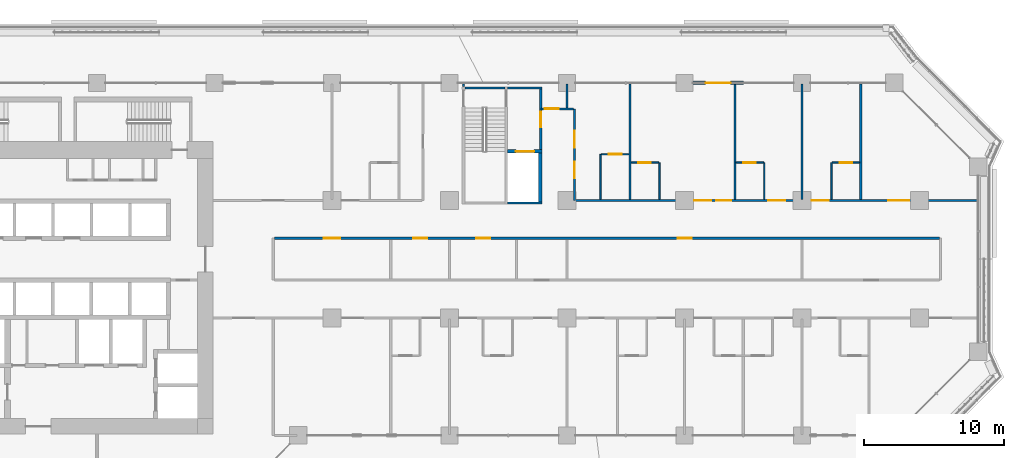
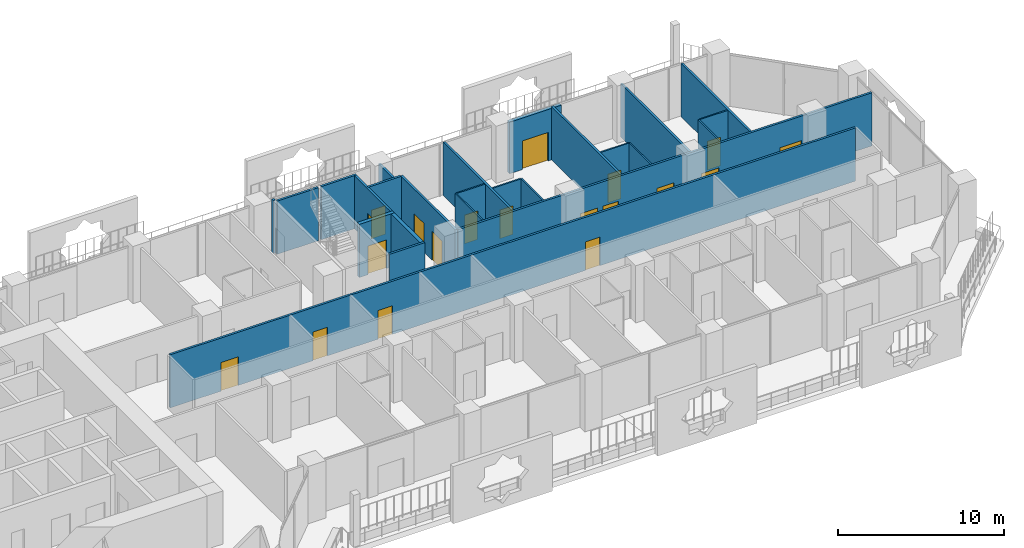
# One storey, part 18 of 27: 25 walls, 19 doors, 19 openings.
"""IFC4 building model written with IfcOpenShell, lengths in metres."""

from ifc_helpers import new_model, si_unit, direction, frame, frame_2d, origin, place, context, subcontext, project, spatial, rectangle, extrude, material, layer, layer_set, type_object, element, fill, save


model = new_model("IFC4")

# Units and contexts
model_context = context("Model", 3, precision=1e-05, world=origin(), true_north=direction((0.0, 1.0)))
body_context = subcontext(model_context, "Body", "Model", "MODEL_VIEW")
ifc_project = project(units=[si_unit("LENGTHUNIT", "METRE"), si_unit("AREAUNIT", "SQUARE_METRE"), si_unit("VOLUMEUNIT", "CUBIC_METRE"), si_unit("PLANEANGLEUNIT", "RADIAN"), si_unit("MASSUNIT", "GRAM", prefix="KILO")], contexts=[model_context])

# Site, building, storey
site_placement = place(None, origin())
site = spatial("IfcSite", under=ifc_project, at=site_placement, CompositionType="ELEMENT")
building_placement = place(site_placement, origin())
building = spatial("IfcBuilding", under=site, at=building_placement, Name="Kawkab Arch Medical Tower", CompositionType="ELEMENT")
storey_placement = place(building_placement, frame((0.0, 0.0, 85.39990234375)))
storey = spatial("IfcBuildingStorey", under=building, at=storey_placement, Name="L19", CompositionType="ELEMENT", Elevation=85.39990234375)

# Wall, opening, door
ifc_material_1 = material(Name="Gypsum board on steel studs", Category="steel")
ifc_layer_1 = layer(ifc_material_1, 0.14990234375)
ifc_layer_set_1 = layer_set([ifc_layer_1], Name="Gypsum board on steel studs")
wall_type_1 = type_object("IfcWallType", Name="Core room partition 150", PredefinedType="PARTITIONING", material=ifc_layer_set_1)
wall_1_placement = place(storey_placement, frame((48.52490234375, -4.77490234375, 0.0), z_axis=(0.0, 0.0, 1.0), x_axis=(0.0, 1.0, 0.0)))
wall_1 = element("IfcWall", 1, at=wall_1_placement, inside=storey, type_object=wall_type_1, Name="L19 core room partition", PredefinedType="PARTITIONING", context=body_context, shape_type="SweptSolid", body=[
    extrude(rectangle(XDim=4.324951171875, YDim=0.14990234375, at=frame_2d((2.16259765625, 0.0))), origin(), (0.0, 0.0, 1.0), 3.900146484375),
])
opening_1_placement = place(wall_1_placement, frame((1.625, 0.0, 0.0)))
opening_1 = element("IfcOpeningElement", 2, at=opening_1_placement, cuts=wall_1, Name="Opening FD", PredefinedType="OPENING", context=body_context, shape_type="SweptSolid", body=[
    extrude(rectangle(XDim=1.10009765625, YDim=2.10009765625, at=frame_2d((0.550048828125, 1.050048828125))), frame((0.0, 0.0849609375, 0.0), z_axis=(0.0, -1.0, 0.0), x_axis=(1.0, 0.0, 0.0)), (0.0, 0.0, 1.0), 0.169921875),
])
ifc_material_2 = material(Name="Hollow metal fire door leaf")
door_type_1 = type_object("IfcDoorType", Name="Firefighting lobby door 1100", OperationType="SINGLE_SWING_LEFT", PredefinedType="DOOR", material=ifc_material_2)
door_1_placement = place(opening_1_placement, origin())
door_1 = element("IfcDoor", 3, at=door_1_placement, inside=storey, type_object=door_type_1, Name="L19 Service lift lobby door SV1", OperationType="SINGLE_SWING_LEFT", OverallHeight=2.10009765625, OverallWidth=1.10009765625, PredefinedType="DOOR", context=body_context, shape_type="SweptSolid", body=[
    extrude(rectangle(XDim=1.10009765625, YDim=2.10009765625, at=frame_2d((0.550048828125, 1.050048828125))), frame((0.0, 0.02490234375, 0.0), z_axis=(0.0, -1.0, 0.0), x_axis=(1.0, 0.0, 0.0)), (0.0, 0.0, 1.0), 0.050048828125),
])
fill(opening_1, door_1)

ifc_material_3 = material(Name="Concrete C60/75", Category="concrete")
ifc_layer_2 = layer(ifc_material_3, 0.25)
ifc_layer_set_2 = layer_set([ifc_layer_2], Name="Concrete C60/75")
wall_type_2 = type_object("IfcWallType", Name="Core shear wall 250 C60/75", PredefinedType="SHEAR", material=ifc_layer_set_2)
wall_2_placement = place(storey_placement, frame((46.14990234375, -4.89990234375, 0.0), z_axis=(0.0, 0.0, 1.0), x_axis=(1.0, 0.0, 0.0)))
wall_2 = element("IfcWall", 4, at=wall_2_placement, inside=storey, type_object=wall_type_2, Name="L19 core shear wall", PredefinedType="SHEAR", context=body_context, shape_type="SweptSolid", body=[
    extrude(rectangle(XDim=2.4501953125, YDim=0.25, at=frame_2d((1.22509765625, 0.0))), origin(), (0.0, 0.0, 1.0), 3.900146484375),
])
opening_2_placement = place(wall_2_placement, frame((0.60009765625, 0.0, 0.0)))
opening_2 = element("IfcOpeningElement", 5, at=opening_2_placement, cuts=wall_2, Name="Opening LD2", PredefinedType="OPENING", context=body_context, shape_type="SweptSolid", body=[
    extrude(rectangle(XDim=1.300048828125, YDim=2.10009765625, at=frame_2d((0.64990234375, 1.050048828125))), frame((0.0, 0.135009765625, 0.0), z_axis=(0.0, -1.0, 0.0), x_axis=(1.0, 0.0, 0.0)), (0.0, 0.0, 1.0), 0.27001953125),
])
ifc_material_4 = material(Name="Stainless steel lift door leaf", Category="steel")
door_type_2 = type_object("IfcDoorType", Name="Lift landing door 1300", OperationType="DOUBLE_DOOR_SLIDING", PredefinedType="DOOR", material=ifc_material_4)
door_2_placement = place(opening_2_placement, origin())
door_2 = element("IfcDoor", 6, at=door_2_placement, inside=storey, type_object=door_type_2, Name="L19 Lift landing door SV1", OperationType="DOUBLE_DOOR_SLIDING", OverallHeight=2.10009765625, OverallWidth=1.300048828125, PredefinedType="DOOR", context=body_context, shape_type="SweptSolid", body=[
    extrude(rectangle(XDim=1.300048828125, YDim=2.10009765625, at=frame_2d((0.64990234375, 1.050048828125))), frame((0.0, 0.02490234375, 0.0), z_axis=(0.0, -1.0, 0.0), x_axis=(1.0, 0.0, 0.0)), (0.0, 0.0, 1.0), 0.050048828125),
])
fill(opening_2, door_2)

# Wall
wall_3_placement = place(storey_placement, frame((48.47509765625, -8.5, 0.0), z_axis=(0.0, 0.0, 1.0), x_axis=(0.0, 1.0, 0.0)))
element("IfcWall", 7, at=wall_3_placement, inside=storey, type_object=wall_type_2, Name="L19 core shear wall", PredefinedType="SHEAR", context=body_context, shape_type="SweptSolid", body=[
    extrude(rectangle(XDim=3.47509765625, YDim=0.25, at=frame_2d((1.737548828125, 0.0))), origin(), (0.0, 0.0, 1.0), 3.900146484375),
])

# Wall, opening, door
ifc_material_5 = material(Name="Bronze clad insulated wall panel")
ifc_layer_3 = layer(ifc_material_5, 0.25)
ifc_layer_set_3 = layer_set([ifc_layer_3], Name="Bronze clad insulated wall panel")
wall_type_3 = type_object("IfcWallType", Name="External wall bay 250", PredefinedType="SOLIDWALL", material=ifc_layer_set_3)
wall_4_placement = place(storey_placement, frame((63.0, 0.0, 0.0), z_axis=(0.0, 0.0, 1.0), x_axis=(-1.0, 0.0, 0.0)))
wall_4 = element("IfcWall", 8, at=wall_4_placement, inside=storey, type_object=wall_type_3, Name="External wall bay L19.R11.2.2", PredefinedType="SOLIDWALL", context=body_context, shape_type="SweptSolid", body=[
    extrude(rectangle(XDim=3.60009765625, YDim=0.25, at=frame_2d((1.800048828125, 0.0))), origin(), (0.0, 0.0, 1.0), 3.780029296875),
])
opening_3_placement = place(wall_4_placement, frame((0.89990234375, 0.0, 0.0)))
opening_3 = element("IfcOpeningElement", 9, at=opening_3_placement, cuts=wall_4, Name="Opening W15B-702", PredefinedType="OPENING", context=body_context, shape_type="SweptSolid", body=[
    extrude(rectangle(XDim=1.800048828125, YDim=2.10009765625, at=frame_2d((0.89990234375, 1.050048828125))), frame((0.0, 0.135009765625, 0.0), z_axis=(0.0, -1.0, 0.0), x_axis=(1.0, 0.0, 0.0)), (0.0, 0.0, 1.0), 0.27001953125),
])
ifc_material_6 = material(Name="Bronze anodised aluminium door with tinted glass", Category="aluminium")
door_type_3 = type_object("IfcDoorType", Name="Double external door 1800 x 2100", OperationType="DOUBLE_DOOR_SINGLE_SWING", PredefinedType="DOOR", material=ifc_material_6)
door_3_placement = place(opening_3_placement, origin())
door_3 = element("IfcDoor", 10, at=door_3_placement, inside=storey, type_object=door_type_3, Name="External door L19.R11.2.2", OperationType="DOUBLE_DOOR_SINGLE_SWING", OverallHeight=2.10009765625, OverallWidth=1.800048828125, PredefinedType="DOOR", context=body_context, shape_type="SweptSolid", body=[
    extrude(rectangle(XDim=1.800048828125, YDim=2.10009765625, at=frame_2d((0.89990234375, 1.050048828125))), frame((0.0, 0.02490234375, 0.0), z_axis=(0.0, -1.0, 0.0), x_axis=(1.0, 0.0, 0.0)), (0.0, 0.0, 1.0), 0.050048828125),
])
fill(opening_3, door_3)

ifc_material_7 = material(Name="Gypsum board partition on steel studs", Category="steel")
ifc_layer_4 = layer(ifc_material_7, 0.10009765625)
ifc_layer_set_4 = layer_set([ifc_layer_4], Name="Gypsum board partition on steel studs")
wall_type_4 = type_object("IfcWallType", Name="Partition 100", PredefinedType="PARTITIONING", material=ifc_layer_set_4)
wall_5_placement = place(storey_placement, frame((54.97509765625, -5.699951171875, 0.0), z_axis=(0.0, 0.0, 1.0), x_axis=(1.0, 0.0, 0.0)))
wall_5 = element("IfcWall", 11, at=wall_5_placement, inside=storey, type_object=wall_type_4, Name="Partition 100 w016", PredefinedType="PARTITIONING", context=body_context, shape_type="SweptSolid", body=[
    extrude(rectangle(XDim=1.972900390625, YDim=0.10009765625, at=frame_2d((0.986328125, 0.0))), origin(), (0.0, 0.0, 1.0), 3.900146484375),
])
opening_4_placement = place(wall_5_placement, frame((0.52392578125, 0.0, 0.0)))
opening_4 = element("IfcOpeningElement", 12, at=opening_4_placement, cuts=wall_5, Name="Opening W15B-011", PredefinedType="OPENING", context=body_context, shape_type="SweptSolid", body=[
    extrude(rectangle(XDim=0.89990234375, YDim=2.10009765625, at=frame_2d((0.449951171875, 1.050048828125))), frame((0.0, 0.06005859375, 0.0), z_axis=(0.0, -1.0, 0.0), x_axis=(1.0, 0.0, 0.0)), (0.0, 0.0, 1.0), 0.1201171875),
])
ifc_material_8 = material(Name="Timber door leaf", Category="wood")
door_type_4 = type_object("IfcDoorType", Name="Single door 900x2100", OperationType="NOTDEFINED", PredefinedType="DOOR", material=ifc_material_8)
door_4_placement = place(opening_4_placement, origin())
door_4 = element("IfcDoor", 13, at=door_4_placement, inside=storey, type_object=door_type_4, Name="Door W15B-011", OperationType="SINGLE_SWING_LEFT", OverallHeight=2.10009765625, OverallWidth=0.89990234375, PredefinedType="DOOR", context=body_context, shape_type="SweptSolid", body=[
    extrude(rectangle(XDim=0.89990234375, YDim=2.10009765625, at=frame_2d((0.449951171875, 1.050048828125))), frame((0.0, 0.02490234375, 0.0), z_axis=(0.0, -1.0, 0.0), x_axis=(1.0, 0.0, 0.0)), (0.0, 0.0, 1.0), 0.050048828125),
])
fill(opening_4, door_4)

wall_6_placement = place(storey_placement, frame((62.47509765625, -5.699951171875, 0.0), z_axis=(0.0, 0.0, 1.0), x_axis=(1.0, 0.0, 0.0)))
wall_6 = element("IfcWall", 14, at=wall_6_placement, inside=storey, type_object=wall_type_4, Name="Partition 100 w017", PredefinedType="PARTITIONING", context=body_context, shape_type="SweptSolid", body=[
    extrude(rectangle(XDim=1.974853515625, YDim=0.10009765625, at=frame_2d((0.9873046875, 0.0))), origin(), (0.0, 0.0, 1.0), 3.900146484375),
])
opening_5_placement = place(wall_6_placement, frame((0.52490234375, 0.0, 0.0)))
opening_5 = element("IfcOpeningElement", 15, at=opening_5_placement, cuts=wall_6, Name="Opening W15B-012", PredefinedType="OPENING", context=body_context, shape_type="SweptSolid", body=[
    extrude(rectangle(XDim=0.89990234375, YDim=2.10009765625, at=frame_2d((0.449951171875, 1.050048828125))), frame((0.0, 0.06005859375, 0.0), z_axis=(0.0, -1.0, 0.0), x_axis=(1.0, 0.0, 0.0)), (0.0, 0.0, 1.0), 0.1201171875),
])
door_5_placement = place(opening_5_placement, origin())
door_5 = element("IfcDoor", 16, at=door_5_placement, inside=storey, type_object=door_type_4, Name="Door W15B-012", OperationType="SINGLE_SWING_LEFT", OverallHeight=2.10009765625, OverallWidth=0.89990234375, PredefinedType="DOOR", context=body_context, shape_type="SweptSolid", body=[
    extrude(rectangle(XDim=0.89990234375, YDim=2.10009765625, at=frame_2d((0.449951171875, 1.050048828125))), frame((0.0, 0.02490234375, 0.0), z_axis=(0.0, -1.0, 0.0), x_axis=(1.0, 0.0, 0.0)), (0.0, 0.0, 1.0), 0.050048828125),
])
fill(opening_5, door_5)

wall_7_placement = place(storey_placement, frame((69.35009765625, -5.699951171875, 0.0), z_axis=(0.0, 0.0, 1.0), x_axis=(1.0, 0.0, 0.0)))
wall_7 = element("IfcWall", 17, at=wall_7_placement, inside=storey, type_object=wall_type_4, Name="Partition 100 w018", PredefinedType="PARTITIONING", context=body_context, shape_type="SweptSolid", body=[
    extrude(rectangle(XDim=1.974853515625, YDim=0.10009765625, at=frame_2d((0.9873046875, 0.0))), origin(), (0.0, 0.0, 1.0), 3.900146484375),
])
opening_6_placement = place(wall_7_placement, frame((0.550048828125, 0.0, 0.0)))
opening_6 = element("IfcOpeningElement", 18, at=opening_6_placement, cuts=wall_7, Name="Opening W15B-013", PredefinedType="OPENING", context=body_context, shape_type="SweptSolid", body=[
    extrude(rectangle(XDim=0.89990234375, YDim=2.10009765625, at=frame_2d((0.449951171875, 1.050048828125))), frame((0.0, 0.06005859375, 0.0), z_axis=(0.0, -1.0, 0.0), x_axis=(1.0, 0.0, 0.0)), (0.0, 0.0, 1.0), 0.1201171875),
])
door_6_placement = place(opening_6_placement, origin())
door_6 = element("IfcDoor", 19, at=door_6_placement, inside=storey, type_object=door_type_4, Name="Door W15B-013", OperationType="SINGLE_SWING_LEFT", OverallHeight=2.10009765625, OverallWidth=0.89990234375, PredefinedType="DOOR", context=body_context, shape_type="SweptSolid", body=[
    extrude(rectangle(XDim=0.89990234375, YDim=2.10009765625, at=frame_2d((0.449951171875, 1.050048828125))), frame((0.0, 0.02490234375, 0.0), z_axis=(0.0, -1.0, 0.0), x_axis=(1.0, 0.0, 0.0)), (0.0, 0.0, 1.0), 0.050048828125),
])
fill(opening_6, door_6)

wall_8_placement = place(storey_placement, frame((52.85009765625, -5.10009765625, 0.0), z_axis=(0.0, 0.0, 1.0), x_axis=(1.0, 0.0, 0.0)))
wall_8 = element("IfcWall", 20, at=wall_8_placement, inside=storey, type_object=wall_type_4, Name="Partition 100 w019", PredefinedType="PARTITIONING", context=body_context, shape_type="SweptSolid", body=[
    extrude(rectangle(XDim=1.974853515625, YDim=0.10009765625, at=frame_2d((0.9873046875, 0.0))), origin(), (0.0, 0.0, 1.0), 3.900146484375),
])
opening_7_placement = place(wall_8_placement, frame((0.550048828125, 0.0, 0.0)))
opening_7 = element("IfcOpeningElement", 21, at=opening_7_placement, cuts=wall_8, Name="Opening W15B-010", PredefinedType="OPENING", context=body_context, shape_type="SweptSolid", body=[
    extrude(rectangle(XDim=0.89990234375, YDim=2.10009765625, at=frame_2d((0.449951171875, 1.050048828125))), frame((0.0, 0.06005859375, 0.0), z_axis=(0.0, -1.0, 0.0), x_axis=(1.0, 0.0, 0.0)), (0.0, 0.0, 1.0), 0.1201171875),
])
door_7_placement = place(opening_7_placement, origin())
door_7 = element("IfcDoor", 22, at=door_7_placement, inside=storey, type_object=door_type_4, Name="Door W15B-010", OperationType="SINGLE_SWING_RIGHT", OverallHeight=2.10009765625, OverallWidth=0.89990234375, PredefinedType="DOOR", context=body_context, shape_type="SweptSolid", body=[
    extrude(rectangle(XDim=0.89990234375, YDim=2.10009765625, at=frame_2d((0.449951171875, 1.050048828125))), frame((0.0, 0.02490234375, 0.0), z_axis=(0.0, -1.0, 0.0), x_axis=(1.0, 0.0, 0.0)), (0.0, 0.0, 1.0), 0.050048828125),
])
fill(opening_7, door_7)

# Walls
wall_9_placement = place(storey_placement, frame((52.800048828125, -8.324951171875, 0.0), z_axis=(0.0, 0.0, 1.0), x_axis=(0.0, 1.0, 0.0)))
element("IfcWall", 23, at=wall_9_placement, inside=storey, type_object=wall_type_4, Name="Partition 100 w031", PredefinedType="PARTITIONING", context=body_context, shape_type="SweptSolid", body=[
    extrude(rectangle(XDim=3.224853515625, YDim=0.10009765625, at=frame_2d((1.6123046875, 0.0))), origin(), (0.0, 0.0, 1.0), 3.900146484375),
])
wall_10_placement = place(storey_placement, frame((57.0, -8.324951171875, 0.0), z_axis=(0.0, 0.0, 1.0), x_axis=(0.0, 1.0, 0.0)))
element("IfcWall", 24, at=wall_10_placement, inside=storey, type_object=wall_type_4, Name="Partition 100 w033", PredefinedType="PARTITIONING", context=body_context, shape_type="SweptSolid", body=[
    extrude(rectangle(XDim=2.6240234375, YDim=0.10009765625, at=frame_2d((1.31201171875, 0.0))), origin(), (0.0, 0.0, 1.0), 3.900146484375),
])
for number, where, z_axis, x_axis, name in (
    (25, (64.5, -8.324951171875, 0.0), (0.0, 0.0, 1.0), (0.0, 1.0, 0.0), "Partition 100 w035"),
    (26, (69.300048828125, -8.324951171875, 0.0), (0.0, 0.0, 1.0), (0.0, 1.0, 0.0), "Partition 100 w037"),
):
    element("IfcWall", number, at=place(storey_placement, frame(where, z_axis=z_axis, x_axis=x_axis)), inside=storey, type_object=wall_type_4, Name=name, PredefinedType="PARTITIONING", context=body_context, shape_type="SweptSolid", body=[
        extrude(rectangle(XDim=2.625, YDim=0.10009765625, at=frame_2d((1.3125, 0.0))), origin(), (0.0, 0.0, 1.0), 3.900146484375),
    ])

# Wall, openings, doors
ifc_material_9 = material(Name="Gypsum board partition on steel studs, mineral wool", Category="steel")
ifc_layer_5 = layer(ifc_material_9, 0.14990234375)
ifc_layer_set_5 = layer_set([ifc_layer_5], Name="Gypsum board partition on steel studs, mineral wool")
wall_type_5 = type_object("IfcWallType", Name="Partition 150", PredefinedType="PARTITIONING", material=ifc_layer_set_5)
wall_11_placement = place(storey_placement, frame((29.47509765625, -11.10009765625, 0.0), z_axis=(0.0, 0.0, 1.0), x_axis=(1.0, 0.0, 0.0)))
wall_11 = element("IfcWall", 27, at=wall_11_placement, inside=storey, type_object=wall_type_5, Name="Partition 150 w065", PredefinedType="PARTITIONING", context=body_context, shape_type="SweptSolid", body=[
    extrude(rectangle(XDim=47.5498046875, YDim=0.14990234375, at=frame_2d((23.77490234375, 0.0))), origin(), (0.0, 0.0, 1.0), 3.900146484375),
])
opening_8_placement = place(wall_11_placement, frame((3.52490234375, 0.0, 0.0)))
opening_8 = element("IfcOpeningElement", 28, at=opening_8_placement, cuts=wall_11, Name="Opening W15B-052", PredefinedType="OPENING", context=body_context, shape_type="SweptSolid", body=[
    extrude(rectangle(XDim=1.199951171875, YDim=2.10009765625, at=frame_2d((0.60009765625, 1.050048828125))), frame((0.0, 0.0849609375, 0.0), z_axis=(0.0, -1.0, 0.0), x_axis=(1.0, 0.0, 0.0)), (0.0, 0.0, 1.0), 0.169921875),
])
opening_9_placement = place(wall_11_placement, frame((9.925048828125, 0.0, 0.0)))
opening_9 = element("IfcOpeningElement", 29, at=opening_9_placement, cuts=wall_11, Name="Opening W15B-034", PredefinedType="OPENING", context=body_context, shape_type="SweptSolid", body=[
    extrude(rectangle(XDim=1.0, YDim=2.10009765625, at=frame_2d((0.5, 1.050048828125))), frame((0.0, 0.0849609375, 0.0), z_axis=(0.0, -1.0, 0.0), x_axis=(1.0, 0.0, 0.0)), (0.0, 0.0, 1.0), 0.169921875),
])
opening_10_placement = place(wall_11_placement, frame((14.425048828125, 0.0, 0.0)))
opening_10 = element("IfcOpeningElement", 30, at=opening_10_placement, cuts=wall_11, Name="Opening W15B-031", PredefinedType="OPENING", context=body_context, shape_type="SweptSolid", body=[
    extrude(rectangle(XDim=1.0, YDim=2.10009765625, at=frame_2d((0.5, 1.050048828125))), frame((0.0, 0.0849609375, 0.0), z_axis=(0.0, -1.0, 0.0), x_axis=(1.0, 0.0, 0.0)), (0.0, 0.0, 1.0), 0.169921875),
])
opening_11_placement = place(wall_11_placement, frame((28.824951171875, 0.0, 0.0)))
opening_11 = element("IfcOpeningElement", 31, at=opening_11_placement, cuts=wall_11, Name="Opening W15B-036", PredefinedType="OPENING", context=body_context, shape_type="SweptSolid", body=[
    extrude(rectangle(XDim=1.0, YDim=2.10009765625, at=frame_2d((0.5, 1.050048828125))), frame((0.0, 0.0849609375, 0.0), z_axis=(0.0, -1.0, 0.0), x_axis=(1.0, 0.0, 0.0)), (0.0, 0.0, 1.0), 0.169921875),
])
ifc_material_10 = material(Name="Timber door leaf", Category="wood")
door_type_5 = type_object("IfcDoorType", Name="Single door 1000x2100", OperationType="NOTDEFINED", PredefinedType="DOOR", material=ifc_material_10)
door_8_placement = place(opening_10_placement, origin())
door_8 = element("IfcDoor", 32, at=door_8_placement, inside=storey, type_object=door_type_5, Name="Door W15B-031", OperationType="SINGLE_SWING_RIGHT", OverallHeight=2.10009765625, OverallWidth=1.0, PredefinedType="DOOR", context=body_context, shape_type="SweptSolid", body=[
    extrude(rectangle(XDim=1.0, YDim=2.10009765625, at=frame_2d((0.5, 1.050048828125))), frame((0.0, 0.02490234375, 0.0), z_axis=(0.0, -1.0, 0.0), x_axis=(1.0, 0.0, 0.0)), (0.0, 0.0, 1.0), 0.050048828125),
])
fill(opening_10, door_8)
ifc_material_11 = material(Name="Hollow metal door leaf")
door_type_6 = type_object("IfcDoorType", Name="Single door 1000x2100 FD30S", OperationType="NOTDEFINED", PredefinedType="DOOR", material=ifc_material_11)
door_9_placement = place(opening_9_placement, origin())
door_9 = element("IfcDoor", 33, at=door_9_placement, inside=storey, type_object=door_type_6, Name="Door W15B-034", OperationType="SINGLE_SWING_RIGHT", OverallHeight=2.10009765625, OverallWidth=1.0, PredefinedType="DOOR", context=body_context, shape_type="SweptSolid", body=[
    extrude(rectangle(XDim=1.0, YDim=2.10009765625, at=frame_2d((0.5, 1.050048828125))), frame((0.0, 0.02490234375, 0.0), z_axis=(0.0, -1.0, 0.0), x_axis=(1.0, 0.0, 0.0)), (0.0, 0.0, 1.0), 0.050048828125),
])
fill(opening_9, door_9)
door_10_placement = place(opening_11_placement, origin())
door_10 = element("IfcDoor", 34, at=door_10_placement, inside=storey, type_object=door_type_6, Name="Door W15B-036", OperationType="SINGLE_SWING_LEFT", OverallHeight=2.10009765625, OverallWidth=1.0, PredefinedType="DOOR", context=body_context, shape_type="SweptSolid", body=[
    extrude(rectangle(XDim=1.0, YDim=2.10009765625, at=frame_2d((0.5, 1.050048828125))), frame((0.0, 0.02490234375, 0.0), z_axis=(0.0, -1.0, 0.0), x_axis=(1.0, 0.0, 0.0)), (0.0, 0.0, 1.0), 0.050048828125),
])
fill(opening_11, door_10)
ifc_material_12 = material(Name="Hollow metal door leaf")
door_type_7 = type_object("IfcDoorType", Name="Single door 1200x2100 FD30S", OperationType="NOTDEFINED", PredefinedType="DOOR", material=ifc_material_12)
door_11_placement = place(opening_8_placement, origin())
door_11 = element("IfcDoor", 35, at=door_11_placement, inside=storey, type_object=door_type_7, Name="Door W15B-052", OperationType="SINGLE_SWING_RIGHT", OverallHeight=2.10009765625, OverallWidth=1.199951171875, PredefinedType="DOOR", context=body_context, shape_type="SweptSolid", body=[
    extrude(rectangle(XDim=1.199951171875, YDim=2.10009765625, at=frame_2d((0.60009765625, 1.050048828125))), frame((0.0, 0.02490234375, 0.0), z_axis=(0.0, -1.0, 0.0), x_axis=(1.0, 0.0, 0.0)), (0.0, 0.0, 1.0), 0.050048828125),
])
fill(opening_8, door_11)

wall_12_placement = place(storey_placement, frame((51.0, -8.39990234375, 0.0), z_axis=(0.0, 0.0, 1.0), x_axis=(1.0, 0.0, 0.0)))
wall_12 = element("IfcWall", 36, at=wall_12_placement, inside=storey, type_object=wall_type_5, Name="Partition 150 w068", PredefinedType="PARTITIONING", context=body_context, shape_type="SweptSolid", body=[
    extrude(rectangle(XDim=28.719970703125, YDim=0.14990234375, at=frame_2d((14.35986328125, 0.0))), origin(), (0.0, 0.0, 1.0), 3.900146484375),
])
opening_12_placement = place(wall_12_placement, frame((8.5, 0.0, 0.0)))
opening_12 = element("IfcOpeningElement", 37, at=opening_12_placement, cuts=wall_12, Name="Opening W15B-049", PredefinedType="OPENING", context=body_context, shape_type="SweptSolid", body=[
    extrude(rectangle(XDim=1.199951171875, YDim=2.10009765625, at=frame_2d((0.60009765625, 1.050048828125))), frame((0.0, 0.0849609375, 0.0), z_axis=(0.0, -1.0, 0.0), x_axis=(1.0, 0.0, 0.0)), (0.0, 0.0, 1.0), 0.169921875),
])
opening_13_placement = place(wall_12_placement, frame((10.050048828125, 0.0, 0.0)))
opening_13 = element("IfcOpeningElement", 38, at=opening_13_placement, cuts=wall_12, Name="Opening W15B-045", PredefinedType="OPENING", context=body_context, shape_type="SweptSolid", body=[
    extrude(rectangle(XDim=1.10009765625, YDim=2.10009765625, at=frame_2d((0.550048828125, 1.050048828125))), frame((0.0, 0.0849609375, 0.0), z_axis=(0.0, -1.0, 0.0), x_axis=(1.0, 0.0, 0.0)), (0.0, 0.0, 1.0), 0.169921875),
])
opening_14_placement = place(wall_12_placement, frame((13.800048828125, 0.0, 0.0)))
opening_14 = element("IfcOpeningElement", 39, at=opening_14_placement, cuts=wall_12, Name="Opening W15B-050", PredefinedType="OPENING", context=body_context, shape_type="SweptSolid", body=[
    extrude(rectangle(XDim=1.199951171875, YDim=2.10009765625, at=frame_2d((0.60009765625, 1.050048828125))), frame((0.0, 0.0849609375, 0.0), z_axis=(0.0, -1.0, 0.0), x_axis=(1.0, 0.0, 0.0)), (0.0, 0.0, 1.0), 0.169921875),
])
opening_15_placement = place(wall_12_placement, frame((16.89990234375, 0.0, 0.0)))
opening_15 = element("IfcOpeningElement", 40, at=opening_15_placement, cuts=wall_12, Name="Opening W15B-051", PredefinedType="OPENING", context=body_context, shape_type="SweptSolid", body=[
    extrude(rectangle(XDim=1.199951171875, YDim=2.10009765625, at=frame_2d((0.60009765625, 1.050048828125))), frame((0.0, 0.0849609375, 0.0), z_axis=(0.0, -1.0, 0.0), x_axis=(1.0, 0.0, 0.0)), (0.0, 0.0, 1.0), 0.169921875),
])
opening_16_placement = place(wall_12_placement, frame((22.35009765625, 0.0, 0.0)))
opening_16 = element("IfcOpeningElement", 41, at=opening_16_placement, cuts=wall_12, Name="Opening W15B-003", PredefinedType="OPENING", context=body_context, shape_type="SweptSolid", body=[
    extrude(rectangle(XDim=1.5, YDim=2.10009765625, at=frame_2d((0.75, 1.050048828125))), frame((0.0, 0.0849609375, 0.0), z_axis=(0.0, -1.0, 0.0), x_axis=(1.0, 0.0, 0.0)), (0.0, 0.0, 1.0), 0.169921875),
])
ifc_material_13 = material(Name="Hollow metal door leaf")
door_type_8 = type_object("IfcDoorType", Name="Double door 1500x2100 FD30S", OperationType="NOTDEFINED", PredefinedType="DOOR", material=ifc_material_13)
door_12_placement = place(opening_16_placement, origin())
door_12 = element("IfcDoor", 42, at=door_12_placement, inside=storey, type_object=door_type_8, Name="Door W15B-003", OperationType="DOUBLE_DOOR_SINGLE_SWING", OverallHeight=2.10009765625, OverallWidth=1.5, PredefinedType="DOOR", context=body_context, shape_type="SweptSolid", body=[
    extrude(rectangle(XDim=1.5, YDim=2.10009765625, at=frame_2d((0.75, 1.050048828125))), frame((0.0, 0.02490234375, 0.0), z_axis=(0.0, -1.0, 0.0), x_axis=(1.0, 0.0, 0.0)), (0.0, 0.0, 1.0), 0.050048828125),
])
fill(opening_16, door_12)
ifc_material_14 = material(Name="Hollow metal door leaf")
door_type_9 = type_object("IfcDoorType", Name="Single door 1100x2100 FD30S", OperationType="NOTDEFINED", PredefinedType="DOOR", material=ifc_material_14)
door_13_placement = place(opening_13_placement, origin())
door_13 = element("IfcDoor", 43, at=door_13_placement, inside=storey, type_object=door_type_9, Name="Door W15B-045", OperationType="SINGLE_SWING_LEFT", OverallHeight=2.10009765625, OverallWidth=1.10009765625, PredefinedType="DOOR", context=body_context, shape_type="SweptSolid", body=[
    extrude(rectangle(XDim=1.10009765625, YDim=2.10009765625, at=frame_2d((0.550048828125, 1.050048828125))), frame((0.0, 0.02490234375, 0.0), z_axis=(0.0, -1.0, 0.0), x_axis=(1.0, 0.0, 0.0)), (0.0, 0.0, 1.0), 0.050048828125),
])
fill(opening_13, door_13)
door_14_placement = place(opening_12_placement, origin())
door_14 = element("IfcDoor", 44, at=door_14_placement, inside=storey, type_object=door_type_7, Name="Door W15B-049", OperationType="SINGLE_SWING_LEFT", OverallHeight=2.10009765625, OverallWidth=1.199951171875, PredefinedType="DOOR", context=body_context, shape_type="SweptSolid", body=[
    extrude(rectangle(XDim=1.199951171875, YDim=2.10009765625, at=frame_2d((0.60009765625, 1.050048828125))), frame((0.0, 0.02490234375, 0.0), z_axis=(0.0, -1.0, 0.0), x_axis=(1.0, 0.0, 0.0)), (0.0, 0.0, 1.0), 0.050048828125),
])
fill(opening_12, door_14)
door_15_placement = place(opening_14_placement, origin())
door_15 = element("IfcDoor", 45, at=door_15_placement, inside=storey, type_object=door_type_7, Name="Door W15B-050", OperationType="SINGLE_SWING_RIGHT", OverallHeight=2.10009765625, OverallWidth=1.199951171875, PredefinedType="DOOR", context=body_context, shape_type="SweptSolid", body=[
    extrude(rectangle(XDim=1.199951171875, YDim=2.10009765625, at=frame_2d((0.60009765625, 1.050048828125))), frame((0.0, 0.02490234375, 0.0), z_axis=(0.0, -1.0, 0.0), x_axis=(1.0, 0.0, 0.0)), (0.0, 0.0, 1.0), 0.050048828125),
])
fill(opening_14, door_15)
door_16_placement = place(opening_15_placement, origin())
door_16 = element("IfcDoor", 46, at=door_16_placement, inside=storey, type_object=door_type_7, Name="Door W15B-051", OperationType="SINGLE_SWING_RIGHT", OverallHeight=2.10009765625, OverallWidth=1.199951171875, PredefinedType="DOOR", context=body_context, shape_type="SweptSolid", body=[
    extrude(rectangle(XDim=1.199951171875, YDim=2.10009765625, at=frame_2d((0.60009765625, 1.050048828125))), frame((0.0, 0.02490234375, 0.0), z_axis=(0.0, -1.0, 0.0), x_axis=(1.0, 0.0, 0.0)), (0.0, 0.0, 1.0), 0.050048828125),
])
fill(opening_15, door_16)

# Wall, opening, door
wall_13_placement = place(storey_placement, frame((48.550048828125, -1.85009765625, 0.0), z_axis=(0.0, 0.0, 1.0), x_axis=(1.0, 0.0, 0.0)))
wall_13 = element("IfcWall", 47, at=wall_13_placement, inside=storey, type_object=wall_type_5, Name="Partition 150 w069", PredefinedType="PARTITIONING", context=body_context, shape_type="SweptSolid", body=[
    extrude(rectangle(XDim=2.300048828125, YDim=0.14990234375, at=frame_2d((1.14990234375, 0.0))), origin(), (0.0, 0.0, 1.0), 3.900146484375),
])
opening_17_placement = place(wall_13_placement, frame((0.25, 0.0, 0.0)))
opening_17 = element("IfcOpeningElement", 48, at=opening_17_placement, cuts=wall_13, Name="Opening W15B-033", PredefinedType="OPENING", context=body_context, shape_type="SweptSolid", body=[
    extrude(rectangle(XDim=1.0, YDim=2.10009765625, at=frame_2d((0.5, 1.050048828125))), frame((0.0, 0.0849609375, 0.0), z_axis=(0.0, -1.0, 0.0), x_axis=(1.0, 0.0, 0.0)), (0.0, 0.0, 1.0), 0.169921875),
])
door_17_placement = place(opening_17_placement, origin())
door_17 = element("IfcDoor", 49, at=door_17_placement, inside=storey, type_object=door_type_6, Name="Door W15B-033", OperationType="SINGLE_SWING_LEFT", OverallHeight=2.10009765625, OverallWidth=1.0, PredefinedType="DOOR", context=body_context, shape_type="SweptSolid", body=[
    extrude(rectangle(XDim=1.0, YDim=2.10009765625, at=frame_2d((0.5, 1.050048828125))), frame((0.0, 0.02490234375, 0.0), z_axis=(0.0, -1.0, 0.0), x_axis=(1.0, 0.0, 0.0)), (0.0, 0.0, 1.0), 0.050048828125),
])
fill(opening_17, door_17)

# Walls
wall_14_placement = place(storey_placement, frame((43.0, -0.27001953125, 0.0), z_axis=(0.0, 0.0, 1.0), x_axis=(0.0, 1.0, 0.0)))
element("IfcWall", 50, at=wall_14_placement, inside=storey, type_object=wall_type_5, Name="Partition 150 w088", PredefinedType="PARTITIONING", context=body_context, shape_type="SweptSolid", body=[
    extrude(rectangle(XDim=0.18994140625, YDim=0.14990234375, at=frame_2d((0.094970703125, 0.0))), origin(), (0.0, 0.0, 1.0), 3.900146484375),
])
wall_15_placement = place(storey_placement, frame((50.39990234375, -1.77490234375, 0.0), z_axis=(0.0, 0.0, 1.0), x_axis=(0.0, 1.0, 0.0)))
element("IfcWall", 51, at=wall_15_placement, inside=storey, type_object=wall_type_5, Name="Partition 150 w092", PredefinedType="PARTITIONING", context=body_context, shape_type="SweptSolid", body=[
    extrude(rectangle(XDim=1.69482421875, YDim=0.14990234375, at=frame_2d((0.847412109375, 0.0))), origin(), (0.0, 0.0, 1.0), 3.900146484375),
])

# Wall, openings, doors
wall_16_placement = place(storey_placement, frame((50.925048828125, -8.39990234375, 0.0), z_axis=(0.0, 0.0, 1.0), x_axis=(0.0, 1.0, 0.0)))
wall_16 = element("IfcWall", 52, at=wall_16_placement, inside=storey, type_object=wall_type_5, Name="Partition 150 w093", PredefinedType="PARTITIONING", context=body_context, shape_type="SweptSolid", body=[
    extrude(rectangle(XDim=6.5498046875, YDim=0.14990234375, at=frame_2d((3.27490234375, 0.0))), origin(), (0.0, 0.0, 1.0), 3.900146484375),
])
opening_18_placement = place(wall_16_placement, frame((3.76708984375, 0.0, 0.0)))
opening_18 = element("IfcOpeningElement", 53, at=opening_18_placement, cuts=wall_16, Name="Opening W15B-047", PredefinedType="OPENING", context=body_context, shape_type="SweptSolid", body=[
    extrude(rectangle(XDim=1.199951171875, YDim=2.10009765625, at=frame_2d((0.60009765625, 1.050048828125))), frame((0.0, 0.0849609375, 0.0), z_axis=(0.0, -1.0, 0.0), x_axis=(1.0, 0.0, 0.0)), (0.0, 0.0, 1.0), 0.169921875),
])
opening_19_placement = place(wall_16_placement, frame((1.5830078125, 0.0, 0.0)))
opening_19 = element("IfcOpeningElement", 54, at=opening_19_placement, cuts=wall_16, Name="Opening W15B-048", PredefinedType="OPENING", context=body_context, shape_type="SweptSolid", body=[
    extrude(rectangle(XDim=1.199951171875, YDim=2.10009765625, at=frame_2d((0.60009765625, 1.050048828125))), frame((0.0, 0.0849609375, 0.0), z_axis=(0.0, -1.0, 0.0), x_axis=(1.0, 0.0, 0.0)), (0.0, 0.0, 1.0), 0.169921875),
])
door_18_placement = place(opening_18_placement, origin())
door_18 = element("IfcDoor", 55, at=door_18_placement, inside=storey, type_object=door_type_7, Name="Door W15B-047", OperationType="SINGLE_SWING_LEFT", OverallHeight=2.10009765625, OverallWidth=1.199951171875, PredefinedType="DOOR", context=body_context, shape_type="SweptSolid", body=[
    extrude(rectangle(XDim=1.199951171875, YDim=2.10009765625, at=frame_2d((0.60009765625, 1.050048828125))), frame((0.0, 0.02490234375, 0.0), z_axis=(0.0, -1.0, 0.0), x_axis=(1.0, 0.0, 0.0)), (0.0, 0.0, 1.0), 0.050048828125),
])
fill(opening_18, door_18)
door_19_placement = place(opening_19_placement, origin())
door_19 = element("IfcDoor", 56, at=door_19_placement, inside=storey, type_object=door_type_7, Name="Door W15B-048", OperationType="SINGLE_SWING_RIGHT", OverallHeight=2.10009765625, OverallWidth=1.199951171875, PredefinedType="DOOR", context=body_context, shape_type="SweptSolid", body=[
    extrude(rectangle(XDim=1.199951171875, YDim=2.10009765625, at=frame_2d((0.60009765625, 1.050048828125))), frame((0.0, 0.02490234375, 0.0), z_axis=(0.0, -1.0, 0.0), x_axis=(1.0, 0.0, 0.0)), (0.0, 0.0, 1.0), 0.050048828125),
])
fill(opening_19, door_19)

# Walls
for number, where, z_axis, x_axis, name in (
    (57, (54.89990234375, -8.324951171875, 0.0), (0.0, 0.0, 1.0), (0.0, 1.0, 0.0), "Partition 150 w095"),
    (58, (62.39990234375, -8.324951171875, 0.0), (0.0, 0.0, 1.0), (0.0, 1.0, 0.0), "Partition 150 w097"),
    (59, (67.199951171875, -8.324951171875, 0.0), (0.0, 0.0, 1.0), (0.0, 1.0, 0.0), "Partition 150 w101"),
    (60, (71.39990234375, -8.324951171875, 0.0), (0.0, 0.0, 1.0), (0.0, 1.0, 0.0), "Partition 150 w102"),
):
    element("IfcWall", number, at=place(storey_placement, frame(where, z_axis=z_axis, x_axis=x_axis)), inside=storey, type_object=wall_type_5, Name=name, PredefinedType="PARTITIONING", context=body_context, shape_type="SweptSolid", body=[
        extrude(rectangle(XDim=8.244873046875, YDim=0.14990234375, at=frame_2d((4.12255859375, 0.0))), origin(), (0.0, 0.0, 1.0), 3.900146484375),
    ])
ifc_material_15 = material(Name="Concrete C50/60", Category="concrete")
ifc_layer_6 = layer(ifc_material_15, 0.14990234375)
ifc_layer_set_6 = layer_set([ifc_layer_6], Name="Concrete C50/60")
wall_type_6 = type_object("IfcWallType", Name="Stair enclosure wall 150 C50/60", PredefinedType="SHEAR", material=ifc_layer_set_6)
wall_17_placement = place(storey_placement, frame((43.10009765625, -0.375, 0.0), z_axis=(0.0, 0.0, 1.0), x_axis=(1.0, 0.0, 0.0)))
element("IfcWall", 61, at=wall_17_placement, inside=storey, type_object=wall_type_6, Name="L19 stair enclosure wall", PredefinedType="SHEAR", context=body_context, shape_type="SweptSolid", body=[
    extrude(rectangle(XDim=2.849853515625, YDim=0.14990234375, at=frame_2d((1.4248046875, 0.0))), origin(), (0.0, 0.0, 1.0), 3.900146484375),
])
for number, where, z_axis, x_axis, name in (
    (62, (46.14990234375, -0.375, 0.0), (0.0, 0.0, 1.0), (1.0, 0.0, 0.0), "L19 stair enclosure wall"),
    (63, (46.14990234375, -8.574951171875, 0.0), (0.0, 0.0, 1.0), (1.0, 0.0, 0.0), "L19 stair enclosure wall"),
):
    element("IfcWall", number, at=place(storey_placement, frame(where, z_axis=z_axis, x_axis=x_axis)), inside=storey, type_object=wall_type_6, Name=name, PredefinedType="SHEAR", context=body_context, shape_type="SweptSolid", body=[
        extrude(rectangle(XDim=2.4501953125, YDim=0.14990234375, at=frame_2d((1.22509765625, 0.0))), origin(), (0.0, 0.0, 1.0), 3.900146484375),
    ])

save(model, "model.ifc")
